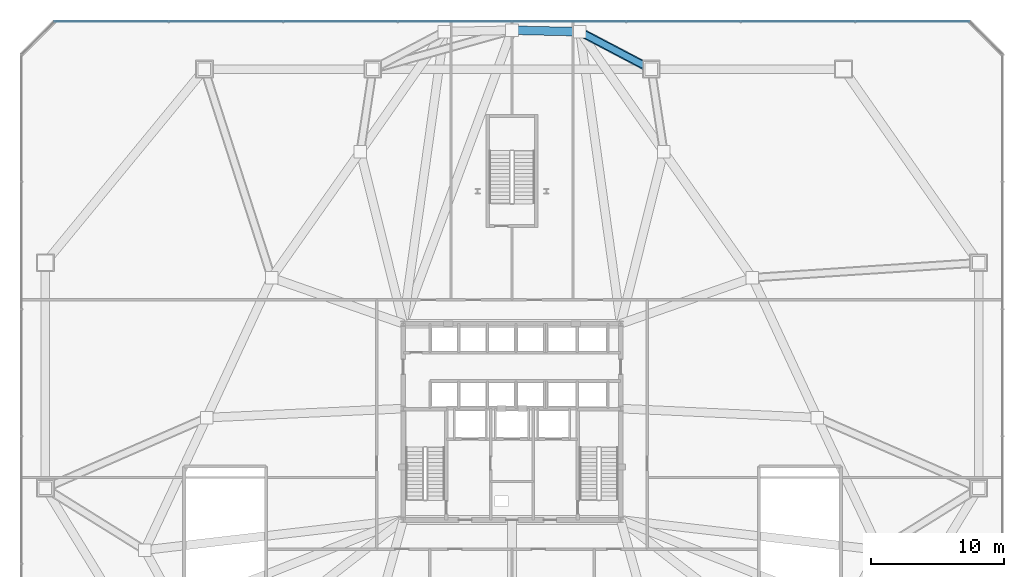
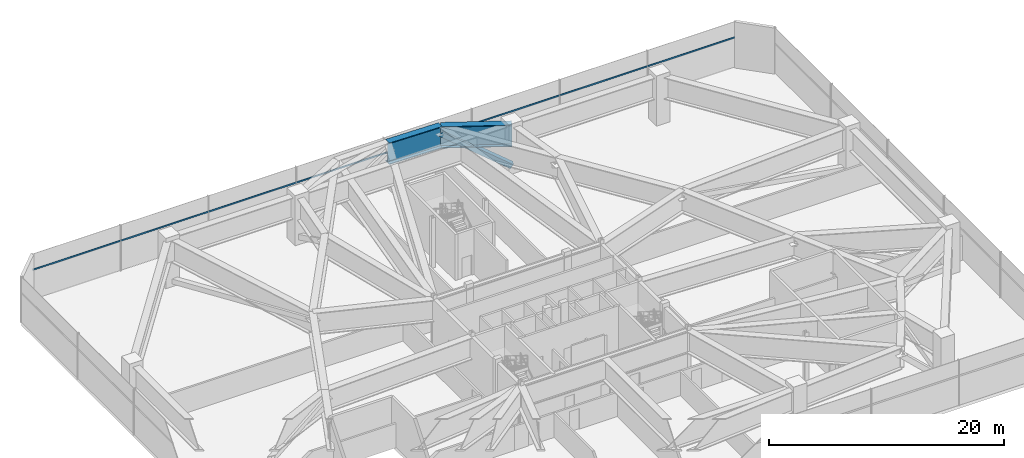
# One storey, part 15 of 29: 2 beams, 2 members, 1 element without a shape of its own.
"""IFC4 building model written with IfcOpenShell, lengths in metres."""

from ifc_helpers import new_model, si_unit, direction, frame, origin, origin_2d, place, context, subcontext, project, spatial, rectangle, hollow_rectangle, i_section, extrude, source, transform, mapped, material, layer, layer_set, material_profile, profile_set, type_object, type_shapes, element, aggregate, save


model = new_model("IFC4")

# Units and contexts
model_context = context("Model", 3, precision=1e-05, world=origin(), true_north=direction((0.0, 1.0)))
body_context = subcontext(model_context, "Body", "Model", "MODEL_VIEW")
ifc_project = project(units=[si_unit("LENGTHUNIT", "METRE"), si_unit("AREAUNIT", "SQUARE_METRE"), si_unit("VOLUMEUNIT", "CUBIC_METRE"), si_unit("PLANEANGLEUNIT", "RADIAN"), si_unit("MASSUNIT", "GRAM", prefix="KILO")], contexts=[model_context])

# Site, building, storey
site_placement = place(None, origin())
site = spatial("IfcSite", under=ifc_project, at=site_placement, CompositionType="ELEMENT")
building_placement = place(site_placement, origin())
building = spatial("IfcBuilding", under=site, at=building_placement, Name="Varakhsha Concourse Tower", CompositionType="ELEMENT")
storey_placement = place(building_placement, frame((0.0, 0.0, 22.0)))
storey = spatial("IfcBuildingStorey", under=building, at=storey_placement, Name="L05", CompositionType="ELEMENT", Elevation=22.0)

# Beams
ifc_material_1 = material(Name="Structural Steel ASTM A992 Grade 50", Category="steel")
ifc_material_profile_1 = material_profile(ifc_material_1, i_section(OverallWidth=0.64990234375, OverallDepth=2.25, WebThickness=0.0400390625, FlangeThickness=0.074951171875, at=origin_2d()), Name="PG 2250x650x75x40")
ifc_profile_set_1 = profile_set([ifc_material_profile_1], Name="Structural Steel ASTM A992 Grade 50")
beam_type = type_object("IfcBeamType", Name="BM-XFER-PG1650", PredefinedType="USERDEFINED", material=ifc_profile_set_1)
beam_1_placement = place(storey_placement, frame((45.1240234375, 53.223388671875, 3.655029296875), z_axis=(-0.999740752381, 0.022769014658, 0.0), x_axis=(-0.022769014658, -0.999740752381, 0.0)))
element("IfcBeam", 1, at=beam_1_placement, inside=storey, type_object=beam_type, Name="L05 Tower Base Transfer Ring Girder 01", ObjectType="GIRDER", PredefinedType="USERDEFINED", context=body_context, shape_type="SweptSolid", body=[
    extrude(i_section(OverallWidth=0.64990234375, OverallDepth=2.25, WebThickness=0.0400390625, FlangeThickness=0.074951171875, at=origin_2d()), origin(), (0.0, 0.0, 1.0), 5.125244140625),
])
beam_2_placement = place(storey_placement, frame((50.5, 50.39990234375, 3.655029296875), z_axis=(-0.885323429694, 0.464975724996, 0.0), x_axis=(-0.464975724996, -0.885323429694, 0.0)))
element("IfcBeam", 2, at=beam_2_placement, inside=storey, type_object=beam_type, Name="L05 Podium Transfer Girder 01", ObjectType="GIRDER", PredefinedType="USERDEFINED", context=body_context, shape_type="SweptSolid", body=[
    extrude(i_section(OverallWidth=0.64990234375, OverallDepth=2.25, WebThickness=0.0400390625, FlangeThickness=0.074951171875, at=origin_2d()), origin(), (0.0, 0.0, 1.0), 6.072265625),
])

# Member
ifc_material_2 = material(Name="Structural Steel ASTM A500 Grade C", Category="steel")
ifc_material_profile_2 = material_profile(ifc_material_2, hollow_rectangle(XDim=0.5, YDim=0.5, WallThickness=0.02001953125, at=origin_2d()), Name="HSS 500x500x20")
ifc_profile_set_2 = profile_set([ifc_material_profile_2], Name="Structural Steel ASTM A500 Grade C")
member_type_1 = type_object("IfcMemberType", Name="MB-XFER-HSS500", PredefinedType="BRACE", material=ifc_profile_set_2)
shared_shape_1 = source(origin(), body_context, "Body", "SweptSolid", [
    extrude(hollow_rectangle(XDim=0.5, YDim=0.5, WallThickness=0.02001953125, at=origin_2d()), origin(), (0.0, 0.0, 1.0), 7.03662109375),
])
type_shapes(member_type_1, [shared_shape_1])
member_1_placement = place(storey_placement, frame((50.5, 50.39990234375, 0.39990234375), z_axis=(-0.764011777654, 0.401262316465, 0.505247025713), x_axis=(-0.464975724996, -0.885323429694, 0.0)))
element("IfcMember", 3, at=member_1_placement, inside=storey, type_object=member_type_1, Name="L05 Transfer Truss Diagonal 01", PredefinedType="BRACE", context=body_context, shape_type="MappedRepresentation", body=[
    mapped(shared_shape_1, transform((0.0, 0.0, 0.0), scale=1.0)),
])

# Curtain wall, member
ifc_material_3 = material(Name="Anodised Bronze Architectural Aluminium AA 6063-T6", Category="aluminium")
ifc_layer = layer(ifc_material_3, 0.260009765625, Name="CW-SYS-06")
ifc_layer_set = layer_set([ifc_layer], Name="Anodised Bronze Architectural Aluminium AA 6063-T6")
curtain_wall_type = type_object("IfcCurtainWallType", Name="CW-SYS-06", PredefinedType="NOTDEFINED", material=ifc_layer_set)
curtain_wall_placement = place(storey_placement, origin())
curtain_wall = element("IfcCurtainWall", 4, at=curtain_wall_placement, inside=storey, type_object=curtain_wall_type, Name="L05 Podium Curtain Wall 05", PredefinedType="NOTDEFINED")
ifc_material_profile_3 = material_profile(ifc_material_3, rectangle(XDim=0.06494140625, YDim=0.159912109375, at=origin_2d()), Name="CWT-160X65")
ifc_profile_set_3 = profile_set([ifc_material_profile_3], Name="Anodised Bronze Architectural Aluminium AA 6063-T6")
member_type_2 = type_object("IfcMemberType", Name="CWT-160X65", PredefinedType="USERDEFINED", material=ifc_profile_set_3)
shared_shape_2 = source(origin(), body_context, "Body", "SweptSolid", [
    extrude(rectangle(XDim=0.06494140625, YDim=0.159912109375, at=origin_2d()), origin(), (0.0, 0.0, 1.0), 69.0),
])
type_shapes(member_type_2, [shared_shape_2])
member_2_placement = place(storey_placement, frame((74.5, 54.0, 3.10009765625), z_axis=(-1.0, 0.0, 0.0), x_axis=(0.0, -1.0, 0.0)))
member_2 = element("IfcMember", 5, at=member_2_placement, type_object=member_type_2, Name="CW-POD-L05-05 Transom 01", ObjectType="TRANSOM", PredefinedType="USERDEFINED", context=body_context, shape_type="MappedRepresentation", body=[
    mapped(shared_shape_2, transform((0.0, 0.0, 0.0), scale=1.0)),
])
aggregate(curtain_wall, [member_2])

save(model, "model.ifc")
